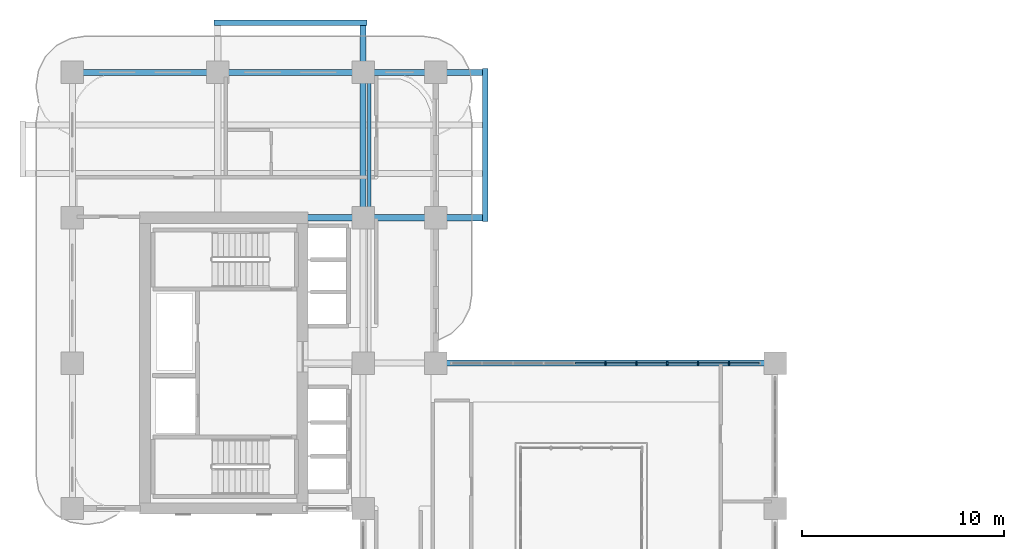
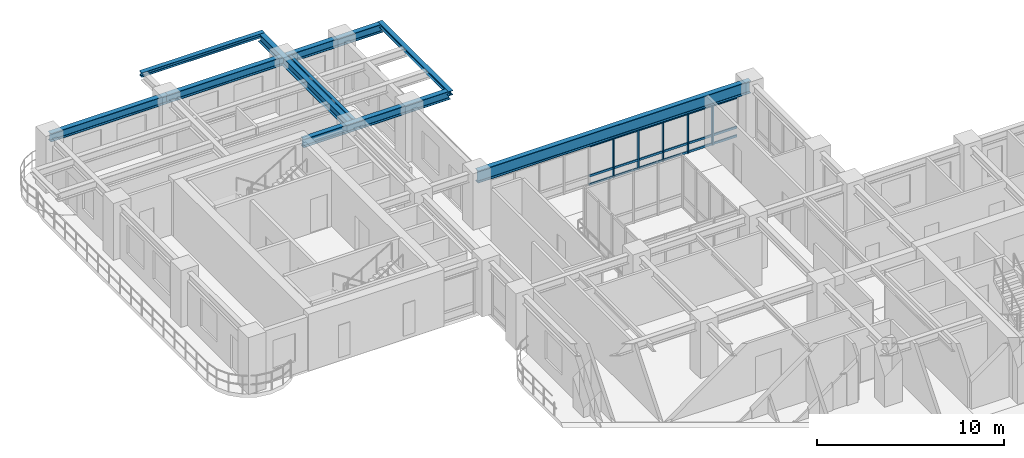
# One storey, part 7 of 22: 23 members, 8 beams, 1 element without a shape of its own.
"""IFC4 building model written with IfcOpenShell, lengths in metres."""

from ifc_helpers import new_model, si_unit, derived_unit, direction, frame, origin, origin_2d, place, context, subcontext, project, spatial, rectangle, i_section, extrude, source, transform, mapped, material, layer, layer_set, material_profile, profile_set, type_object, type_shapes, element, aggregate, save


model = new_model("IFC4")

# Units and contexts
model_context = context("Model", 3, precision=1e-05, world=origin(), true_north=direction((0.0, 1.0)))
body_context = subcontext(model_context, "Body", "Model", "MODEL_VIEW")
ifc_project = project(units=[si_unit("LENGTHUNIT", "METRE"), si_unit("AREAUNIT", "SQUARE_METRE"), si_unit("VOLUMEUNIT", "CUBIC_METRE"), si_unit("PLANEANGLEUNIT", "RADIAN"), si_unit("MASSUNIT", "GRAM", prefix="KILO"), si_unit("THERMODYNAMICTEMPERATUREUNIT", "KELVIN"), si_unit("POWERUNIT", "WATT"), derived_unit("THERMALTRANSMITTANCEUNIT", [(si_unit("POWERUNIT", "WATT"), 1), (si_unit("AREAUNIT", "SQUARE_METRE"), -1), (si_unit("THERMODYNAMICTEMPERATUREUNIT", "KELVIN"), -1)])], contexts=[model_context])

# Site, building, storey
site_placement = place(None, origin())
site = spatial("IfcSite", under=ifc_project, at=site_placement, CompositionType="ELEMENT")
building_placement = place(site_placement, origin())
building = spatial("IfcBuilding", under=site, at=building_placement, Name="Zahravan Archway Hotel and Residences", CompositionType="ELEMENT")
storey_placement = place(building_placement, frame((0.0, 0.0, 80.5)))
storey = spatial("IfcBuildingStorey", under=building, at=storey_placement, Name="L19", CompositionType="ELEMENT", Elevation=80.5)

# Beams
ifc_material_1 = material(Name="Structural Steel S355JR", Category="steel")
ifc_material_profile_1 = material_profile(ifc_material_1, i_section(OverallWidth=0.280029296875, OverallDepth=0.280029296875, WebThickness=0.010498046875, FlangeThickness=0.01806640625, FilletRadius=0.02392578125, at=origin_2d()), Name="HEB 280", Category="steel")
ifc_profile_set_1 = profile_set([ifc_material_profile_1], Name="Structural Steel S355JR")
beam_type_1 = type_object("IfcBeamType", Name="BM-SPN-HEB280", PredefinedType="SPANDREL", material=ifc_profile_set_1)
shared_shape_1 = source(origin(), body_context, "Body", "SweptSolid", [
    extrude(i_section(OverallWidth=0.280029296875, OverallDepth=0.280029296875, WebThickness=0.010498046875, FlangeThickness=0.01806640625, FilletRadius=0.02392578125, at=origin_2d()), origin(), (0.0, 0.0, 1.0), 7.56005859375),
])
type_shapes(beam_type_1, [shared_shape_1])
for number, where, z_axis, x_axis, name in (
    (1, (20.449951171875, 39.419921875, 3.31005859375), (0.0, 1.0, 0.0), (-1.0, 0.0, 0.0), "L20 EB Balcony Edge Spandrel"),
    (2, (7.02001953125, 49.25, 3.31005859375), (1.0, 0.0, 0.0), (0.0, 1.0, 0.0), "L20 NB Balcony Edge Spandrel"),
):
    element("IfcBeam", number, at=place(storey_placement, frame(where, z_axis=z_axis, x_axis=x_axis)), inside=storey, type_object=beam_type_1, Name=name, PredefinedType="SPANDREL", context=body_context, shape_type="MappedRepresentation", body=[
        mapped(shared_shape_1, transform((0.0, 0.0, 0.0), scale=1.0)),
    ])
ifc_material_profile_2 = material_profile(ifc_material_1, i_section(OverallWidth=0.300048828125, OverallDepth=0.550048828125, WebThickness=0.014892578125, FlangeThickness=0.029052734375, FilletRadius=0.027099609375, at=origin_2d()), Name="HEB 550", Category="steel")
ifc_profile_set_2 = profile_set([ifc_material_profile_2], Name="Structural Steel S355JR")
beam_type_2 = type_object("IfcBeamType", Name="BM-PRI-HEB550", PredefinedType="BEAM", material=ifc_profile_set_2)
shared_shape_2 = source(origin(), body_context, "Body", "SweptSolid", [
    extrude(i_section(OverallWidth=0.300048828125, OverallDepth=0.550048828125, WebThickness=0.014892578125, FlangeThickness=0.029052734375, FilletRadius=0.027099609375, at=origin_2d()), origin(), (0.0, 0.0, 1.0), 7.199951171875),
])
beam_1_placement = place(storey_placement, frame((0.0, 46.800048828125, 3.175048828125), z_axis=(1.0, 0.0, 0.0), x_axis=(0.0, 1.0, 0.0)))
element("IfcBeam", 3, at=beam_1_placement, inside=storey, type_object=beam_type_2, Name="L19 Primary Girder EW-24", PredefinedType="BEAM", context=body_context, shape_type="MappedRepresentation", body=[
    mapped(shared_shape_2, transform((0.0, 0.0, 0.0), scale=1.0)),
])
shared_shape_3 = source(origin(), body_context, "Body", "SweptSolid", [
    extrude(i_section(OverallWidth=0.300048828125, OverallDepth=0.550048828125, WebThickness=0.014892578125, FlangeThickness=0.029052734375, FilletRadius=0.027099609375, at=origin_2d()), origin(), (0.0, 0.0, 1.0), 9.050048828125),
])
beam_2_placement = place(storey_placement, frame((11.39990234375, 39.60009765625, 3.175048828125), z_axis=(1.0, 0.0, 0.0), x_axis=(0.0, 1.0, 0.0)))
element("IfcBeam", 4, at=beam_2_placement, inside=storey, type_object=beam_type_2, Name="L19 Primary Girder EW-23", PredefinedType="BEAM", context=body_context, shape_type="MappedRepresentation", body=[
    mapped(shared_shape_3, transform((0.0, 0.0, 0.0), scale=1.0)),
])
shared_shape_4 = source(origin(), body_context, "Body", "SweptSolid", [
    extrude(i_section(OverallWidth=0.300048828125, OverallDepth=0.550048828125, WebThickness=0.014892578125, FlangeThickness=0.029052734375, FilletRadius=0.027099609375, at=origin_2d()), origin(), (0.0, 0.0, 1.0), 13.25),
])
beam_3_placement = place(storey_placement, frame((7.199951171875, 46.800048828125, 3.175048828125), z_axis=(1.0, 0.0, 0.0), x_axis=(0.0, 1.0, 0.0)))
element("IfcBeam", 5, at=beam_3_placement, inside=storey, type_object=beam_type_2, Name="L19 Primary Girder EW-25", PredefinedType="BEAM", context=body_context, shape_type="MappedRepresentation", body=[
    mapped(shared_shape_4, transform((0.0, 0.0, 0.0), scale=1.0)),
])
shared_shape_5 = source(origin(), body_context, "Body", "SweptSolid", [
    extrude(i_section(OverallWidth=0.300048828125, OverallDepth=0.550048828125, WebThickness=0.014892578125, FlangeThickness=0.029052734375, FilletRadius=0.027099609375, at=origin_2d()), origin(), (0.0, 0.0, 1.0), 9.64990234375),
])
beam_4_placement = place(storey_placement, frame((14.39990234375, 39.60009765625, 3.175048828125), z_axis=(0.0, 1.0, 0.0), x_axis=(-1.0, 0.0, 0.0)))
element("IfcBeam", 6, at=beam_4_placement, inside=storey, type_object=beam_type_2, Name="L19 Primary Girder NS-38", PredefinedType="BEAM", context=body_context, shape_type="MappedRepresentation", body=[
    mapped(shared_shape_5, transform((0.0, 0.0, 0.0), scale=1.0)),
])
ifc_material_2 = material(Name="Structural Steel S355J2", Category="steel")
ifc_material_profile_3 = material_profile(ifc_material_2, i_section(OverallWidth=0.300048828125, OverallDepth=0.800048828125, WebThickness=0.017578125, FlangeThickness=0.032958984375, FilletRadius=0.030029296875, at=origin_2d()), Name="HEB 800", Category="steel")
ifc_profile_set_3 = profile_set([ifc_material_profile_3], Name="Structural Steel S355J2")
beam_type_3 = type_object("IfcBeamType", Name="BM-PRI-HEB800", PredefinedType="BEAM", material=ifc_profile_set_3)
shared_shape_6 = source(origin(), body_context, "Body", "SweptSolid", [
    extrude(i_section(OverallWidth=0.300048828125, OverallDepth=0.800048828125, WebThickness=0.017578125, FlangeThickness=0.032958984375, FilletRadius=0.030029296875, at=origin_2d()), origin(), (0.0, 0.0, 1.0), 16.800048828125),
])
type_shapes(beam_type_3, [shared_shape_6])
beam_5_placement = place(storey_placement, frame((18.0, 32.39990234375, 3.050048828125), z_axis=(1.0, 0.0, 0.0), x_axis=(0.0, 1.0, 0.0)))
element("IfcBeam", 7, at=beam_5_placement, inside=storey, type_object=beam_type_3, Name="L19 Primary Girder EW-22", PredefinedType="BEAM", context=body_context, shape_type="MappedRepresentation", body=[
    mapped(shared_shape_6, transform((0.0, 0.0, 0.0), scale=1.0)),
])
ifc_material_profile_4 = material_profile(ifc_material_1, i_section(OverallWidth=0.169921875, OverallDepth=0.360107421875, WebThickness=0.008056640625, FlangeThickness=0.0126953125, FilletRadius=0.01806640625, at=origin_2d()), Name="IPE 360", Category="steel")
ifc_profile_set_4 = profile_set([ifc_material_profile_4], Name="Structural Steel S355JR")
beam_type_4 = type_object("IfcBeamType", Name="BM-JST-IPE360", PredefinedType="JOIST", material=ifc_profile_set_4)
shared_shape_7 = source(origin(), body_context, "Body", "SweptSolid", [
    extrude(i_section(OverallWidth=0.169921875, OverallDepth=0.360107421875, WebThickness=0.008056640625, FlangeThickness=0.0126953125, FilletRadius=0.01806640625, at=origin_2d()), origin(), (0.0, 0.0, 1.0), 6.904052734375),
])
type_shapes(beam_type_4, [shared_shape_7])
beam_6_placement = place(storey_placement, frame((14.699951171875, 39.748046875, 3.27001953125), z_axis=(0.0, 1.0, 0.0), x_axis=(-1.0, 0.0, 0.0)))
element("IfcBeam", 8, at=beam_6_placement, inside=storey, type_object=beam_type_4, Name="L19 Composite Floor Joist 14", PredefinedType="JOIST", context=body_context, shape_type="MappedRepresentation", body=[
    mapped(shared_shape_7, transform((0.0, 0.0, 0.0), scale=1.0)),
])

# Curtain wall, members
ifc_material_3 = material(Name="Bronze-Anodized Unitised Aluminium & Low-E Glass", Category="aluminium")
ifc_layer = layer(ifc_material_3, 0.179931640625, Name="Bronze-Anodized Unitised Aluminium & Low-E Glass", Category="aluminium")
ifc_layer_set = layer_set([ifc_layer], Name="Bronze-Anodized Unitised Aluminium & Low-E Glass")
curtain_wall_type = type_object("IfcCurtainWallType", Name="CW-ATR-GLAZ", PredefinedType="NOTDEFINED", material=ifc_layer_set)
curtain_wall_placement = place(storey_placement, origin())
curtain_wall = element("IfcCurtainWall", 9, at=curtain_wall_placement, inside=storey, type_object=curtain_wall_type, Name="L19 Curtain Wall CW-L19-HNG-N-1", PredefinedType="NOTDEFINED")
ifc_material_4 = material(Name="Bronze-Anodized Extruded Aluminium", Category="aluminium")
ifc_material_profile_5 = material_profile(ifc_material_4, rectangle(XDim=0.080078125, YDim=0.159912109375, at=origin_2d()), Name="MUL 80x160", Category="aluminium")
ifc_profile_set_5 = profile_set([ifc_material_profile_5], Name="Bronze-Anodized Extruded Aluminium")
member_type_1 = type_object("IfcMemberType", Name="CWM-MUL-160", PredefinedType="MULLION", material=ifc_profile_set_5)
shared_shape_8 = source(origin(), body_context, "Body", "SweptSolid", [
    extrude(rectangle(XDim=0.080078125, YDim=0.159912109375, at=origin_2d()), origin(), (0.0, 0.0, 1.0), 2.635009765625),
])
member_1_placement = place(storey_placement, frame((26.39990234375, 32.39990234375, 0.0), z_axis=(0.0, 0.0, 1.0), x_axis=(1.0, 0.0, 0.0)))
member_1 = element("IfcMember", 10, at=member_1_placement, type_object=member_type_1, Name="CW-L19-HNG-N-1 Mullion 5", PredefinedType="MULLION", context=body_context, shape_type="MappedRepresentation", body=[
    mapped(shared_shape_8, transform((0.0, 0.0, 0.0), scale=1.0)),
])
member_2_placement = place(storey_placement, frame((27.927978515625, 32.39990234375, 0.0), z_axis=(0.0, 0.0, 1.0), x_axis=(1.0, 0.0, 0.0)))
member_2 = element("IfcMember", 11, at=member_2_placement, type_object=member_type_1, Name="CW-L19-HNG-N-1 Mullion 6", PredefinedType="MULLION", context=body_context, shape_type="MappedRepresentation", body=[
    mapped(shared_shape_8, transform((0.0, 0.0, 0.0), scale=1.0)),
])
member_3_placement = place(storey_placement, frame((29.4560546875, 32.39990234375, 0.0), z_axis=(0.0, 0.0, 1.0), x_axis=(1.0, 0.0, 0.0)))
member_3 = element("IfcMember", 12, at=member_3_placement, type_object=member_type_1, Name="CW-L19-HNG-N-1 Mullion 7", PredefinedType="MULLION", context=body_context, shape_type="MappedRepresentation", body=[
    mapped(shared_shape_8, transform((0.0, 0.0, 0.0), scale=1.0)),
])
member_4_placement = place(storey_placement, frame((30.98388671875, 32.39990234375, 0.0), z_axis=(0.0, 0.0, 1.0), x_axis=(1.0, 0.0, 0.0)))
member_4 = element("IfcMember", 13, at=member_4_placement, type_object=member_type_1, Name="CW-L19-HNG-N-1 Mullion 8", PredefinedType="MULLION", context=body_context, shape_type="MappedRepresentation", body=[
    mapped(shared_shape_8, transform((0.0, 0.0, 0.0), scale=1.0)),
])
member_5_placement = place(storey_placement, frame((32.511962890625, 32.39990234375, 0.0), z_axis=(0.0, 0.0, 1.0), x_axis=(1.0, 0.0, 0.0)))
member_5 = element("IfcMember", 14, at=member_5_placement, type_object=member_type_1, Name="CW-L19-HNG-N-1 Mullion 9", PredefinedType="MULLION", context=body_context, shape_type="MappedRepresentation", body=[
    mapped(shared_shape_8, transform((0.0, 0.0, 0.0), scale=1.0)),
])
ifc_material_profile_6 = material_profile(ifc_material_4, rectangle(XDim=0.080078125, YDim=0.139892578125, at=origin_2d()), Name="TRN 80x140", Category="aluminium")
ifc_profile_set_6 = profile_set([ifc_material_profile_6], Name="Bronze-Anodized Extruded Aluminium")
member_type_2 = type_object("IfcMemberType", Name="CWM-TRN-140", PredefinedType="USERDEFINED", material=ifc_profile_set_6)
shared_shape_9 = source(origin(), body_context, "Body", "SweptSolid", [
    extrude(rectangle(XDim=0.080078125, YDim=0.139892578125, at=origin_2d()), origin(), (0.0, 0.0, 1.0), 1.447998046875),
])
member_6_placement = place(storey_placement, frame((24.912109375, 32.39990234375, 0.070068359375), z_axis=(1.0, 0.0, 0.0), x_axis=(0.0, 1.0, 0.0)))
member_6 = element("IfcMember", 15, at=member_6_placement, type_object=member_type_2, Name="CW-L19-HNG-N-1 Transom 4-1", ObjectType="TRANSOM", PredefinedType="USERDEFINED", context=body_context, shape_type="MappedRepresentation", body=[
    mapped(shared_shape_9, transform((0.0, 0.0, 0.0), scale=1.0)),
])
member_7_placement = place(storey_placement, frame((24.912109375, 32.39990234375, 0.63232421875), z_axis=(1.0, 0.0, 0.0), x_axis=(0.0, 1.0, 0.0)))
member_7 = element("IfcMember", 16, at=member_7_placement, type_object=member_type_2, Name="CW-L19-HNG-N-1 Transom 4-2", ObjectType="TRANSOM", PredefinedType="USERDEFINED", context=body_context, shape_type="MappedRepresentation", body=[
    mapped(shared_shape_9, transform((0.0, 0.0, 0.0), scale=1.0)),
])
member_8_placement = place(storey_placement, frame((24.912109375, 32.39990234375, 2.56494140625), z_axis=(1.0, 0.0, 0.0), x_axis=(0.0, 1.0, 0.0)))
member_8 = element("IfcMember", 17, at=member_8_placement, type_object=member_type_2, Name="CW-L19-HNG-N-1 Transom 4-3", ObjectType="TRANSOM", PredefinedType="USERDEFINED", context=body_context, shape_type="MappedRepresentation", body=[
    mapped(shared_shape_9, transform((0.0, 0.0, 0.0), scale=1.0)),
])
member_9_placement = place(storey_placement, frame((26.43994140625, 32.39990234375, 0.070068359375), z_axis=(1.0, 0.0, 0.0), x_axis=(0.0, 1.0, 0.0)))
member_9 = element("IfcMember", 18, at=member_9_placement, type_object=member_type_2, Name="CW-L19-HNG-N-1 Transom 5-1", ObjectType="TRANSOM", PredefinedType="USERDEFINED", context=body_context, shape_type="MappedRepresentation", body=[
    mapped(shared_shape_9, transform((0.0, 0.0, 0.0), scale=1.0)),
])
member_10_placement = place(storey_placement, frame((26.43994140625, 32.39990234375, 0.63232421875), z_axis=(1.0, 0.0, 0.0), x_axis=(0.0, 1.0, 0.0)))
member_10 = element("IfcMember", 19, at=member_10_placement, type_object=member_type_2, Name="CW-L19-HNG-N-1 Transom 5-2", ObjectType="TRANSOM", PredefinedType="USERDEFINED", context=body_context, shape_type="MappedRepresentation", body=[
    mapped(shared_shape_9, transform((0.0, 0.0, 0.0), scale=1.0)),
])
member_11_placement = place(storey_placement, frame((26.43994140625, 32.39990234375, 2.56494140625), z_axis=(1.0, 0.0, 0.0), x_axis=(0.0, 1.0, 0.0)))
member_11 = element("IfcMember", 20, at=member_11_placement, type_object=member_type_2, Name="CW-L19-HNG-N-1 Transom 5-3", ObjectType="TRANSOM", PredefinedType="USERDEFINED", context=body_context, shape_type="MappedRepresentation", body=[
    mapped(shared_shape_9, transform((0.0, 0.0, 0.0), scale=1.0)),
])
member_12_placement = place(storey_placement, frame((27.968017578125, 32.39990234375, 0.070068359375), z_axis=(1.0, 0.0, 0.0), x_axis=(0.0, 1.0, 0.0)))
member_12 = element("IfcMember", 21, at=member_12_placement, type_object=member_type_2, Name="CW-L19-HNG-N-1 Transom 6-1", ObjectType="TRANSOM", PredefinedType="USERDEFINED", context=body_context, shape_type="MappedRepresentation", body=[
    mapped(shared_shape_9, transform((0.0, 0.0, 0.0), scale=1.0)),
])
member_13_placement = place(storey_placement, frame((27.968017578125, 32.39990234375, 0.63232421875), z_axis=(1.0, 0.0, 0.0), x_axis=(0.0, 1.0, 0.0)))
member_13 = element("IfcMember", 22, at=member_13_placement, type_object=member_type_2, Name="CW-L19-HNG-N-1 Transom 6-2", ObjectType="TRANSOM", PredefinedType="USERDEFINED", context=body_context, shape_type="MappedRepresentation", body=[
    mapped(shared_shape_9, transform((0.0, 0.0, 0.0), scale=1.0)),
])
member_14_placement = place(storey_placement, frame((27.968017578125, 32.39990234375, 2.56494140625), z_axis=(1.0, 0.0, 0.0), x_axis=(0.0, 1.0, 0.0)))
member_14 = element("IfcMember", 23, at=member_14_placement, type_object=member_type_2, Name="CW-L19-HNG-N-1 Transom 6-3", ObjectType="TRANSOM", PredefinedType="USERDEFINED", context=body_context, shape_type="MappedRepresentation", body=[
    mapped(shared_shape_9, transform((0.0, 0.0, 0.0), scale=1.0)),
])
member_15_placement = place(storey_placement, frame((29.49609375, 32.39990234375, 0.070068359375), z_axis=(1.0, 0.0, 0.0), x_axis=(0.0, 1.0, 0.0)))
member_15 = element("IfcMember", 24, at=member_15_placement, type_object=member_type_2, Name="CW-L19-HNG-N-1 Transom 7-1", ObjectType="TRANSOM", PredefinedType="USERDEFINED", context=body_context, shape_type="MappedRepresentation", body=[
    mapped(shared_shape_9, transform((0.0, 0.0, 0.0), scale=1.0)),
])
member_16_placement = place(storey_placement, frame((29.49609375, 32.39990234375, 0.63232421875), z_axis=(1.0, 0.0, 0.0), x_axis=(0.0, 1.0, 0.0)))
member_16 = element("IfcMember", 25, at=member_16_placement, type_object=member_type_2, Name="CW-L19-HNG-N-1 Transom 7-2", ObjectType="TRANSOM", PredefinedType="USERDEFINED", context=body_context, shape_type="MappedRepresentation", body=[
    mapped(shared_shape_9, transform((0.0, 0.0, 0.0), scale=1.0)),
])
member_17_placement = place(storey_placement, frame((29.49609375, 32.39990234375, 2.56494140625), z_axis=(1.0, 0.0, 0.0), x_axis=(0.0, 1.0, 0.0)))
member_17 = element("IfcMember", 26, at=member_17_placement, type_object=member_type_2, Name="CW-L19-HNG-N-1 Transom 7-3", ObjectType="TRANSOM", PredefinedType="USERDEFINED", context=body_context, shape_type="MappedRepresentation", body=[
    mapped(shared_shape_9, transform((0.0, 0.0, 0.0), scale=1.0)),
])
member_18_placement = place(storey_placement, frame((31.02392578125, 32.39990234375, 0.070068359375), z_axis=(1.0, 0.0, 0.0), x_axis=(0.0, 1.0, 0.0)))
member_18 = element("IfcMember", 27, at=member_18_placement, type_object=member_type_2, Name="CW-L19-HNG-N-1 Transom 8-1", ObjectType="TRANSOM", PredefinedType="USERDEFINED", context=body_context, shape_type="MappedRepresentation", body=[
    mapped(shared_shape_9, transform((0.0, 0.0, 0.0), scale=1.0)),
])
member_19_placement = place(storey_placement, frame((31.02392578125, 32.39990234375, 0.63232421875), z_axis=(1.0, 0.0, 0.0), x_axis=(0.0, 1.0, 0.0)))
member_19 = element("IfcMember", 28, at=member_19_placement, type_object=member_type_2, Name="CW-L19-HNG-N-1 Transom 8-2", ObjectType="TRANSOM", PredefinedType="USERDEFINED", context=body_context, shape_type="MappedRepresentation", body=[
    mapped(shared_shape_9, transform((0.0, 0.0, 0.0), scale=1.0)),
])
member_20_placement = place(storey_placement, frame((31.02392578125, 32.39990234375, 2.56494140625), z_axis=(1.0, 0.0, 0.0), x_axis=(0.0, 1.0, 0.0)))
member_20 = element("IfcMember", 29, at=member_20_placement, type_object=member_type_2, Name="CW-L19-HNG-N-1 Transom 8-3", ObjectType="TRANSOM", PredefinedType="USERDEFINED", context=body_context, shape_type="MappedRepresentation", body=[
    mapped(shared_shape_9, transform((0.0, 0.0, 0.0), scale=1.0)),
])
member_21_placement = place(storey_placement, frame((32.552001953125, 32.39990234375, 0.070068359375), z_axis=(1.0, 0.0, 0.0), x_axis=(0.0, 1.0, 0.0)))
member_21 = element("IfcMember", 30, at=member_21_placement, type_object=member_type_2, Name="CW-L19-HNG-N-1 Transom 9-1", ObjectType="TRANSOM", PredefinedType="USERDEFINED", context=body_context, shape_type="MappedRepresentation", body=[
    mapped(shared_shape_9, transform((0.0, 0.0, 0.0), scale=1.0)),
])
member_22_placement = place(storey_placement, frame((32.552001953125, 32.39990234375, 0.63232421875), z_axis=(1.0, 0.0, 0.0), x_axis=(0.0, 1.0, 0.0)))
member_22 = element("IfcMember", 31, at=member_22_placement, type_object=member_type_2, Name="CW-L19-HNG-N-1 Transom 9-2", ObjectType="TRANSOM", PredefinedType="USERDEFINED", context=body_context, shape_type="MappedRepresentation", body=[
    mapped(shared_shape_9, transform((0.0, 0.0, 0.0), scale=1.0)),
])
member_23_placement = place(storey_placement, frame((32.552001953125, 32.39990234375, 2.56494140625), z_axis=(1.0, 0.0, 0.0), x_axis=(0.0, 1.0, 0.0)))
member_23 = element("IfcMember", 32, at=member_23_placement, type_object=member_type_2, Name="CW-L19-HNG-N-1 Transom 9-3", ObjectType="TRANSOM", PredefinedType="USERDEFINED", context=body_context, shape_type="MappedRepresentation", body=[
    mapped(shared_shape_9, transform((0.0, 0.0, 0.0), scale=1.0)),
])
aggregate(curtain_wall, [member_1, member_2, member_3, member_4, member_5, member_6, member_7, member_8, member_9, member_10, member_11, member_12, member_13, member_14, member_15, member_16, member_17, member_18, member_19, member_20, member_21, member_22, member_23])

save(model, "model.ifc")
